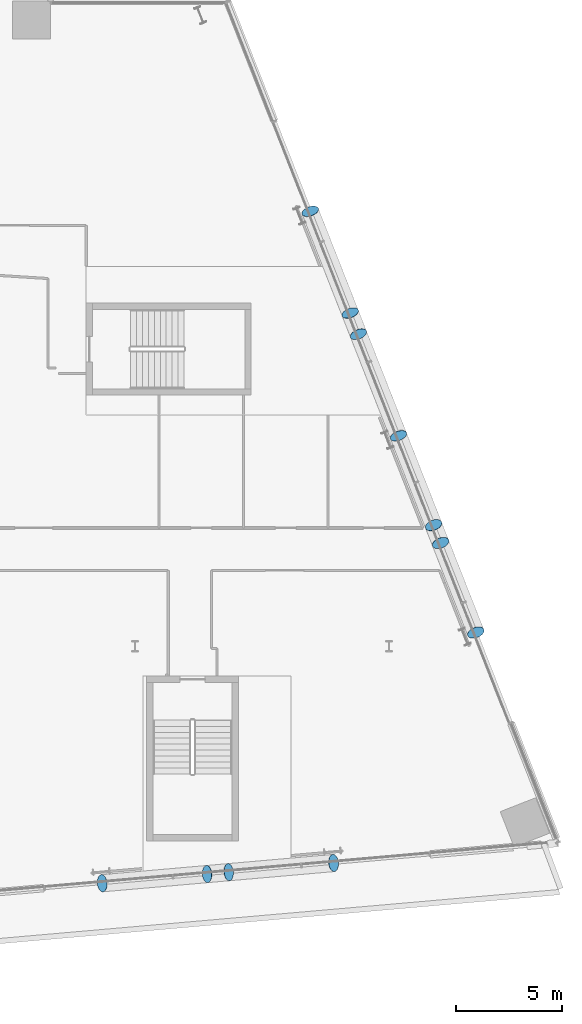
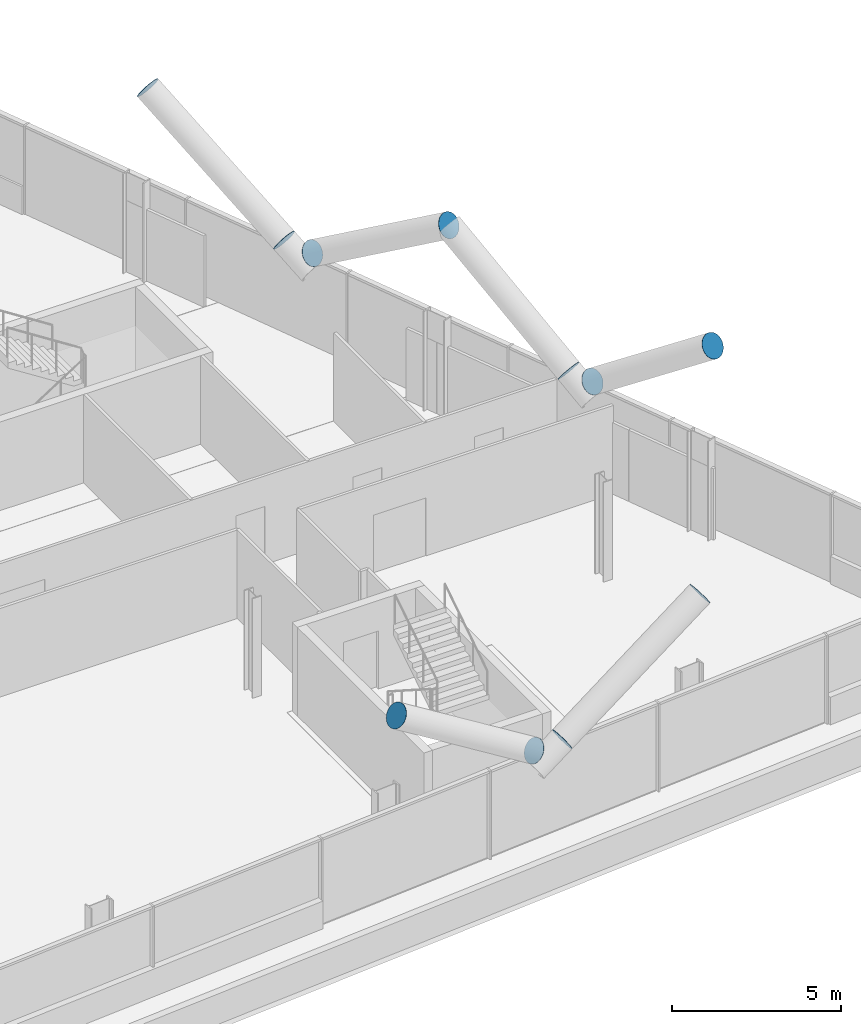
# One storey, part 21 of 26: 11 discrete accessories.
"""IFC4 building model written with IfcOpenShell, lengths in metres."""

from ifc_helpers import new_model, si_unit, direction, frame, origin, origin_2d, place, context, subcontext, project, spatial, circle, extrude, material, material_profile, profile_set, type_object, element, save


model = new_model("IFC4")

# Units and contexts
model_context = context("Model", 3, precision=1e-05, world=origin(), true_north=direction((0.0, 1.0)))
body_context = subcontext(model_context, "Body", "Model", "MODEL_VIEW")
ifc_project = project(units=[si_unit("LENGTHUNIT", "METRE"), si_unit("AREAUNIT", "SQUARE_METRE"), si_unit("VOLUMEUNIT", "CUBIC_METRE"), si_unit("PLANEANGLEUNIT", "RADIAN"), si_unit("MASSUNIT", "GRAM", prefix="KILO")], contexts=[model_context])

# Site, building, storey
site_placement = place(None, origin())
site = spatial("IfcSite", under=ifc_project, at=site_placement, CompositionType="ELEMENT")
building_placement = place(site_placement, origin())
building = spatial("IfcBuilding", under=site, at=building_placement, Name="Wharfspan Tower", CompositionType="ELEMENT")
storey_placement = place(building_placement, frame((0.0, 0.0, 96.699951)))
storey = spatial("IfcBuildingStorey", under=building, at=storey_placement, Name="L21", CompositionType="ELEMENT", Elevation=96.699951)

# Discrete accessories
ifc_material = material(Name="Steel S460NH", Category="steel")
ifc_material_profile = material_profile(ifc_material, circle(Radius=0.406494, at=origin_2d()))
ifc_profile_set = profile_set([ifc_material_profile], Name="Steel S460NH")
discrete_accessory_type = type_object("IfcDiscreteAccessoryType", Name="End plate CHS 813x40", PredefinedType="BRACKET", material=ifc_profile_set)
for number, where, z_axis, x_axis, name in (
    (1, (76.418457, 0.821777, 3.232422), (0.844416, 0.072379, 0.530776), (-0.085402, 0.99635, 0.0), "End plate CHS 813x40"),
    (2, (81.376221, 1.255371, 6.5), (0.82608, 0.072889, 0.558819), (-0.087894, 0.99613, 1e-06), "End plate CHS 813x40"),
    (3, (75.410156, 0.733398, 3.232422), (-0.838548, -0.049326, 0.54259), (0.058722, -0.99827, 1e-06), "End plate CHS 813x40"),
    (4, (70.452393, 0.299805, 6.5), (-0.82608, -0.072889, 0.558819), (0.087894, -0.99613, 1e-06), "End plate CHS 813x40"),
    (5, (82.171143, 27.249756, 3.236328), (-0.289598, 0.796395, 0.53093), (-0.939792, -0.341743, 1e-06), "End plate CHS 813x40"),
    (6, (80.282471, 32.05542, 6.5), (-0.289598, 0.796395, 0.53093), (-0.939792, -0.341743, 1e-06), "End plate CHS 813x40"),
    (7, (82.560303, 26.259521, 3.236328), (0.317451, -0.781418, 0.537225), (0.92647, 0.376377, -2e-06), "End plate CHS 813x40"),
):
    element("IfcDiscreteAccessory", number, at=place(storey_placement, frame(where, z_axis=z_axis, x_axis=x_axis)), inside=storey, type_object=discrete_accessory_type, Name=name, PredefinedType="BRACKET", context=body_context, shape_type="SweptSolid", body=[
        extrude(circle(Radius=0.406494, at=origin_2d()), origin(), (0.0, 0.0, 1.0), 0.01001),
    ])
discrete_accessory_placement = place(storey_placement, frame((84.448975, 21.454102, 6.5), z_axis=(0.311472, -0.79066, 0.527107), x_axis=(0.93041, 0.366525, 0.0)))
element("IfcDiscreteAccessory", 8, at=discrete_accessory_placement, inside=storey, type_object=discrete_accessory_type, Name="End plate CHS 813x40", PredefinedType="BRACKET", context=body_context, shape_type="SweptSolid", body=[
    extrude(circle(Radius=0.406494, at=origin_2d()), origin(), (0.0, 0.0, 1.0), 0.010254),
])
for number, where, z_axis, x_axis, name in (
    (9, (86.112793, 17.220459, 3.221924), (-0.292683, 0.756098, 0.585366), (-0.932565, -0.360992, -1e-06), "End plate CHS 813x40"),
    (10, (86.439697, 16.388916, 3.221924), (0.292683, -0.756098, 0.585366), (0.932565, 0.360992, -1e-06), "End plate CHS 813x40"),
    (11, (88.103516, 12.155518, 6.5), (0.292683, -0.756098, 0.585366), (0.932565, 0.360992, -1e-06), "End plate CHS 813x40"),
):
    element("IfcDiscreteAccessory", number, at=place(storey_placement, frame(where, z_axis=z_axis, x_axis=x_axis)), inside=storey, type_object=discrete_accessory_type, Name=name, PredefinedType="BRACKET", context=body_context, shape_type="SweptSolid", body=[
        extrude(circle(Radius=0.406494, at=origin_2d()), origin(), (0.0, 0.0, 1.0), 0.01001),
    ])

save(model, "model.ifc")
